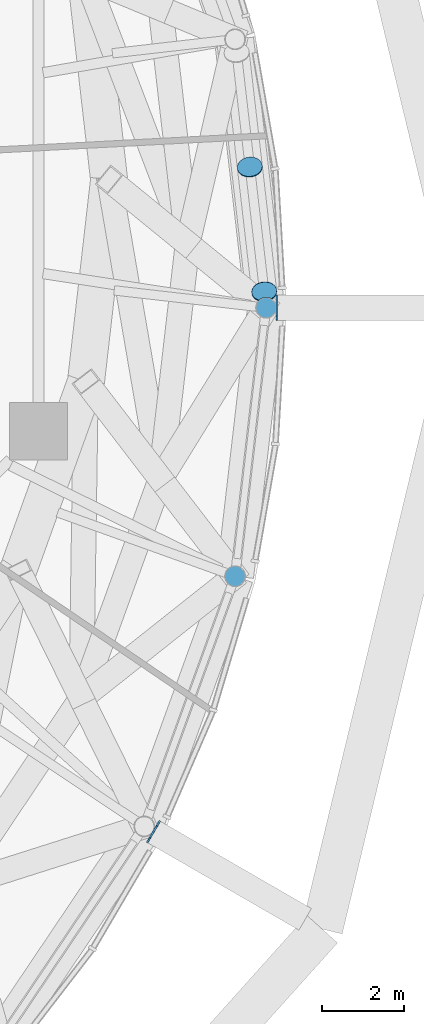
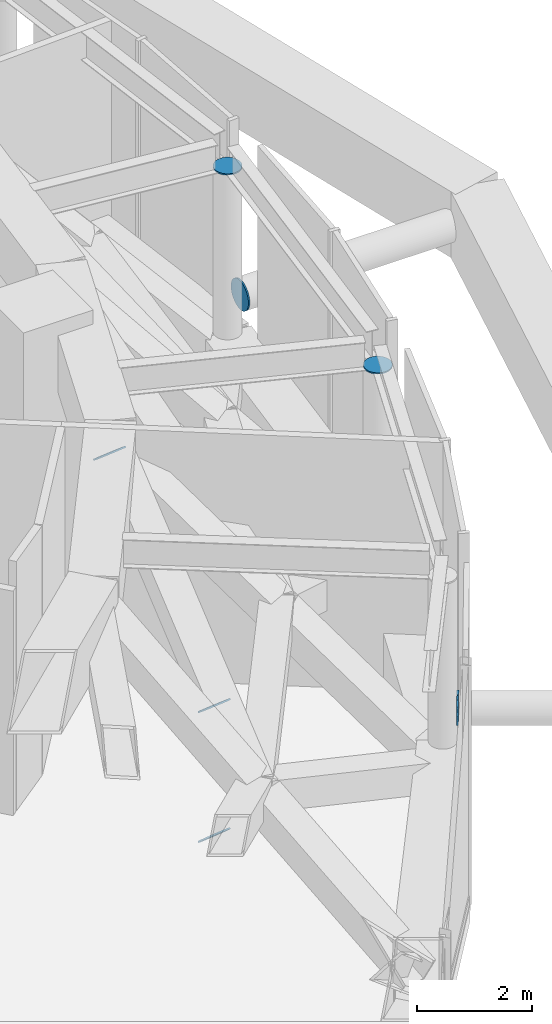
# One storey, part 18 of 22: 7 discrete accessories.
"""IFC4 building model written with IfcOpenShell, lengths in metres."""

from ifc_helpers import new_model, si_unit, direction, frame, origin, origin_2d, place, context, subcontext, project, spatial, circle, extrude, material, layer, layer_set, type_object, element, save


model = new_model("IFC4")

# Units and contexts
model_context = context("Model", 3, precision=1e-05, world=origin(), true_north=direction((0.0, 1.0)))
body_context = subcontext(model_context, "Body", "Model", "MODEL_VIEW")
ifc_project = project(units=[si_unit("LENGTHUNIT", "METRE"), si_unit("AREAUNIT", "SQUARE_METRE"), si_unit("VOLUMEUNIT", "CUBIC_METRE"), si_unit("PLANEANGLEUNIT", "RADIAN"), si_unit("MASSUNIT", "GRAM", prefix="KILO")], contexts=[model_context])

# Site, building, storey
site_placement = place(None, origin())
site = spatial("IfcSite", under=ifc_project, at=site_placement, CompositionType="ELEMENT")
building_placement = place(site_placement, origin())
building = spatial("IfcBuilding", under=site, at=building_placement, Name="Nagisa Residences", CompositionType="ELEMENT")
storey_placement = place(building_placement, frame((0.0, 0.0, 310.300048828125)))
storey = spatial("IfcBuildingStorey", under=building, at=storey_placement, Name="L77", CompositionType="ELEMENT", Elevation=310.300048828125)

# Discrete accessories
ifc_material_1 = material(Name="Steel ASTM A572 Gr 50", Category="steel")
ifc_layer_1 = layer(ifc_material_1, 0.030029296875)
ifc_layer_set_1 = layer_set([ifc_layer_1], Name="End plate")
discrete_accessory_type_1 = type_object("IfcDiscreteAccessoryType", Name="End plate", PredefinedType="ANCHORPLATE", material=ifc_layer_set_1)
for number, where, z_axis, x_axis, name in (
    (1, (20.320068359375, -3.11767578125, 4.697021484375), (0.0, 0.0, 1.0), (1.0, 0.0, 0.0), "End plate GP601"),
    (2, (19.566162109375, -9.650390625, 4.697021484375), (0.0, 0.0, 1.0), (1.0, 0.0, 0.0), "End plate GP624"),
):
    element("IfcDiscreteAccessory", number, at=place(storey_placement, frame(where, z_axis=z_axis, x_axis=x_axis)), inside=storey, type_object=discrete_accessory_type_1, Name=name, PredefinedType="ANCHORPLATE", context=body_context, shape_type="SweptSolid", body=[
        extrude(circle(Radius=0.25390625, at=origin_2d()), origin(), (0.0, 0.0, 1.0), 0.030029296875),
    ])
ifc_material_2 = material(Name="Steel ASTM A572 Gr 50", Category="steel")
ifc_layer_2 = layer(ifc_material_2, 0.030029296875)
ifc_layer_set_2 = layer_set([ifc_layer_2], Name="Node plate")
discrete_accessory_type_2 = type_object("IfcDiscreteAccessoryType", Name="Node plate", PredefinedType="ANCHORPLATE", material=ifc_layer_set_2)
for number, where, z_axis, x_axis, name in (
    (3, (20.593994140625, -3.11767578125, 1.89990234375), (-1.0, 0.0, 0.0), (0.0, -1.0, 0.0), "Node plate ST6T01"),
    (4, (17.59375, -15.874755859375, 1.89990234375), (-0.863187603129, 0.504883315038, 0.0), (-0.504883315038, -0.863187603129, 0.0), "Node plate ST6T12"),
):
    element("IfcDiscreteAccessory", number, at=place(storey_placement, frame(where, z_axis=z_axis, x_axis=x_axis)), inside=storey, type_object=discrete_accessory_type_2, Name=name, PredefinedType="ANCHORPLATE", context=body_context, shape_type="SweptSolid", body=[
        extrude(circle(Radius=0.304931640625, at=origin_2d()), origin(), (0.0, 0.0, 1.0), 0.030029296875),
    ])
discrete_accessory_1_placement = place(storey_placement, frame((20.274169921875, -2.72021484375, -6.949951171875), z_axis=(0.07264918772, -0.637698425546, -0.766852537049), x_axis=(0.993573147212, 0.113191877531, 0.0)))
element("IfcDiscreteAccessory", 5, at=discrete_accessory_1_placement, inside=storey, type_object=discrete_accessory_type_2, Name="Node plate PK3", PredefinedType="ANCHORPLATE", context=body_context, shape_type="SweptSolid", body=[
    extrude(circle(Radius=0.304931640625, at=origin_2d()), origin(), (0.0, 0.0, 1.0), 0.0302734375),
])
discrete_accessory_2_placement = place(storey_placement, frame((19.926513671875, 0.292724609375, -3.330078125), z_axis=(-0.073482242916, 0.636846105274, 0.767481203792), x_axis=(-0.993408935871, -0.114624107985, 0.0)))
element("IfcDiscreteAccessory", 6, at=discrete_accessory_2_placement, inside=storey, type_object=discrete_accessory_type_2, Name="Node plate PK3", PredefinedType="ANCHORPLATE", context=body_context, shape_type="SweptSolid", body=[
    extrude(circle(Radius=0.304931640625, at=origin_2d()), origin(), (0.0, 0.0, 1.0), 0.02978515625),
])
discrete_accessory_3_placement = place(storey_placement, frame((20.274169921875, -2.72021484375, -9.699951171875), z_axis=(0.07287748033, -0.672092318596, -0.736872301111), x_axis=(0.994172402625, 0.107801826791, 0.0)))
element("IfcDiscreteAccessory", 7, at=discrete_accessory_3_placement, inside=storey, type_object=discrete_accessory_type_2, Name="Node plate PK4", PredefinedType="ANCHORPLATE", context=body_context, shape_type="SweptSolid", body=[
    extrude(circle(Radius=0.304931640625, at=origin_2d()), origin(), (0.0, 0.0, 1.0), 0.030029296875),
])

save(model, "model.ifc")
